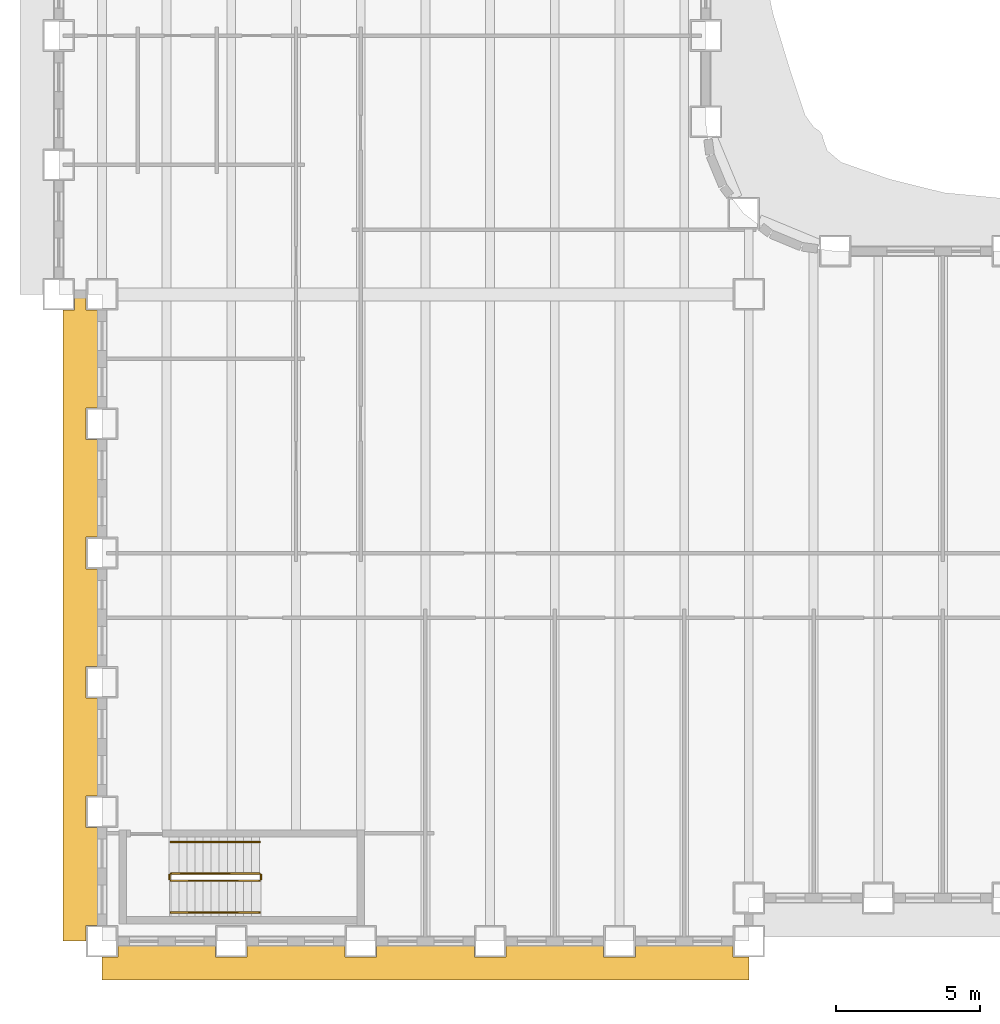
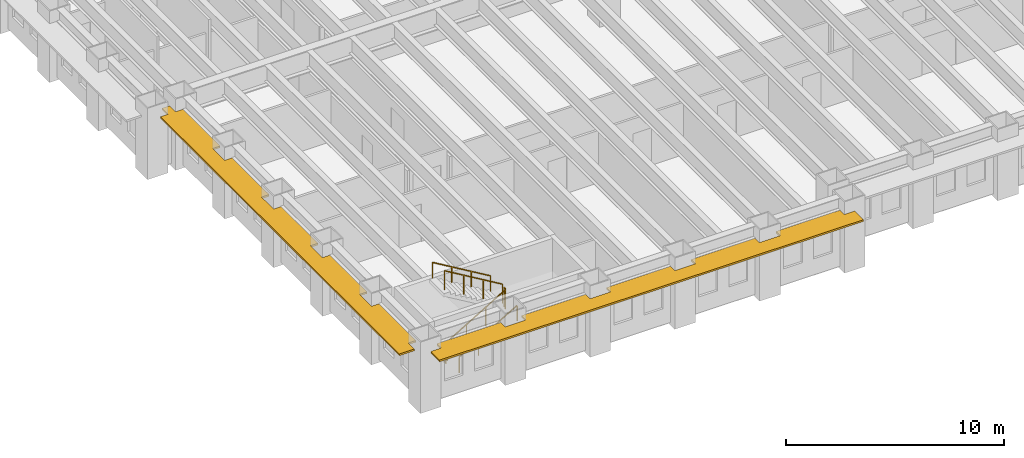
# One storey, part 10 of 15: 6 railings, 2 shading devices.
"""IFC4 building model written with IfcOpenShell, lengths in metres."""

from ifc_helpers import new_model, si_unit, direction, frame, origin, origin_2d, place, context, subcontext, project, spatial, polyline, rectangle, outline, extrude, material, layer, layer_set, type_object, element, save


model = new_model("IFC4")

# Units and contexts
model_context = context("Model", 3, precision=1e-05, world=origin(), true_north=direction((0.0, 1.0)))
body_context = subcontext(model_context, "Body", "Model", "MODEL_VIEW")
ifc_project = project(units=[si_unit("LENGTHUNIT", "METRE"), si_unit("AREAUNIT", "SQUARE_METRE"), si_unit("VOLUMEUNIT", "CUBIC_METRE"), si_unit("PLANEANGLEUNIT", "RADIAN"), si_unit("MASSUNIT", "GRAM", prefix="KILO")], contexts=[model_context])

# Site, building, storey
site_placement = place(None, origin())
site = spatial("IfcSite", under=ifc_project, at=site_placement, CompositionType="ELEMENT")
building_placement = place(site_placement, origin())
building = spatial("IfcBuilding", under=site, at=building_placement, Name="Sennacour Bend Tower", CompositionType="ELEMENT")
storey_placement = place(building_placement, frame((0.0, 0.0, 41.0)))
storey = spatial("IfcBuildingStorey", under=building, at=storey_placement, Name="L08", CompositionType="ELEMENT", Elevation=41.0)

# Railings
ifc_material_1 = material(Name="Stainless steel", Category="steel")
railing_type_1 = type_object("IfcRailingType", Name="RL-GUARD-1100", PredefinedType="GUARDRAIL", material=ifc_material_1)
railing_1_placement = place(storey_placement, frame((2.39990234375, 2.10009765625, 0.166748046875)))
element("IfcRailing", 1, at=railing_1_placement, inside=storey, type_object=railing_type_1, Name="L08 SK1 stair guard 1", PredefinedType="GUARDRAIL", context=body_context, shape_type="SweptSolid", body=[
    extrude(rectangle(XDim=0.048095703125, YDim=0.048095703125, at=origin_2d()), frame((0.0, 0.0, 1.076171875), z_axis=(0.859308565015, 0.0, 0.511457515432), x_axis=(0.0, 1.0, 0.0)), (0.0, 0.0, 1.0), 3.58447265625),
    extrude(rectangle(XDim=0.0419921875, YDim=0.0419921875, at=origin_2d()), origin(), (0.0, 0.0, 1.0), 1.052001953125),
    extrude(rectangle(XDim=0.0419921875, YDim=0.0419921875, at=origin_2d()), frame((1.026611328125, 0.0, 0.611083984375)), (0.0, 0.0, 1.0), 1.052001953125),
    extrude(rectangle(XDim=0.0419921875, YDim=0.0419921875, at=origin_2d()), frame((2.053466796875, 0.0, 1.22216796875)), (0.0, 0.0, 1.0), 1.052001953125),
    extrude(rectangle(XDim=0.0419921875, YDim=0.0419921875, at=origin_2d()), frame((3.080078125, 0.0, 1.833251953125)), (0.0, 0.0, 1.0), 1.052001953125),
])
railing_2_placement = place(storey_placement, frame((5.530029296875, 2.14990234375, 2.0)))
element("IfcRailing", 2, at=railing_2_placement, inside=storey, type_object=railing_type_1, Name="L08 SK1 stair guard 2", PredefinedType="GUARDRAIL", context=body_context, shape_type="SweptSolid", body=[
    extrude(rectangle(XDim=0.048095703125, YDim=0.048095703125, at=origin_2d()), frame((0.0, 0.0, 1.076171875), z_axis=(0.0, 1.0, 0.0), x_axis=(-1.0, 0.0, 0.0)), (0.0, 0.0, 1.0), 0.150146484375),
    extrude(rectangle(XDim=0.0419921875, YDim=0.0419921875, at=origin_2d()), origin(), (0.0, 0.0, 1.0), 1.052001953125),
    extrude(rectangle(XDim=0.0419921875, YDim=0.0419921875, at=origin_2d()), frame((0.0, 0.150146484375, 0.0)), (0.0, 0.0, 1.0), 1.052001953125),
])
railing_3_placement = place(storey_placement, frame((5.47998046875, 2.35009765625, 2.166748046875)))
element("IfcRailing", 3, at=railing_3_placement, inside=storey, type_object=railing_type_1, Name="L08 SK1 stair guard 3", PredefinedType="GUARDRAIL", context=body_context, shape_type="SweptSolid", body=[
    extrude(rectangle(XDim=0.048095703125, YDim=0.048095703125, at=origin_2d()), frame((0.0, 0.0, 1.076171875), z_axis=(-0.859308565015, 0.0, 0.511457515432), x_axis=(0.0, -1.0, 0.0)), (0.0, 0.0, 1.0), 3.58447265625),
    extrude(rectangle(XDim=0.0419921875, YDim=0.0419921875, at=origin_2d()), origin(), (0.0, 0.0, 1.0), 1.052001953125),
    extrude(rectangle(XDim=0.0419921875, YDim=0.0419921875, at=origin_2d()), frame((-1.026611328125, 0.0, 0.611083984375)), (0.0, 0.0, 1.0), 1.052001953125),
    extrude(rectangle(XDim=0.0419921875, YDim=0.0419921875, at=origin_2d()), frame((-2.053466796875, 0.0, 1.22216796875)), (0.0, 0.0, 1.0), 1.052001953125),
    extrude(rectangle(XDim=0.0419921875, YDim=0.0419921875, at=origin_2d()), frame((-3.080078125, 0.0, 1.833251953125)), (0.0, 0.0, 1.0), 1.052001953125),
])
railing_4_placement = place(storey_placement, frame((2.35009765625, 2.14990234375, 0.0)))
element("IfcRailing", 4, at=railing_4_placement, inside=storey, type_object=railing_type_1, Name="L08 SK1 stair guard 4", PredefinedType="GUARDRAIL", context=body_context, shape_type="SweptSolid", body=[
    extrude(rectangle(XDim=0.048095703125, YDim=0.048095703125, at=origin_2d()), frame((0.0, 0.0, 1.076171875), z_axis=(0.0, 1.0, 0.0), x_axis=(-1.0, 0.0, 0.0)), (0.0, 0.0, 1.0), 0.150146484375),
    extrude(rectangle(XDim=0.0419921875, YDim=0.0419921875, at=origin_2d()), origin(), (0.0, 0.0, 1.0), 1.052001953125),
    extrude(rectangle(XDim=0.0419921875, YDim=0.0419921875, at=origin_2d()), frame((0.0, 0.150146484375, 0.0)), (0.0, 0.0, 1.0), 1.052001953125),
])
railing_type_2 = type_object("IfcRailingType", Name="RL-HANDRAIL-900", PredefinedType="HANDRAIL", material=ifc_material_1)
railing_5_placement = place(storey_placement, frame((2.39990234375, 1.0, 0.166748046875)))
element("IfcRailing", 5, at=railing_5_placement, inside=storey, type_object=railing_type_2, Name="L08 SK1 stair handrail 1", PredefinedType="HANDRAIL", context=body_context, shape_type="SweptSolid", body=[
    extrude(rectangle(XDim=0.048095703125, YDim=0.048095703125, at=origin_2d()), frame((0.0, 0.0, 0.8759765625), z_axis=(0.859308565015, 0.0, 0.511457515432), x_axis=(0.0, 1.0, 0.0)), (0.0, 0.0, 1.0), 3.58447265625),
    extrude(rectangle(XDim=0.0419921875, YDim=0.0419921875, at=origin_2d()), origin(), (0.0, 0.0, 1.0), 0.851806640625),
    extrude(rectangle(XDim=0.0419921875, YDim=0.0419921875, at=origin_2d()), frame((1.026611328125, 0.0, 0.611083984375)), (0.0, 0.0, 1.0), 0.851806640625),
    extrude(rectangle(XDim=0.0419921875, YDim=0.0419921875, at=origin_2d()), frame((2.053466796875, 0.0, 1.22216796875)), (0.0, 0.0, 1.0), 0.851806640625),
    extrude(rectangle(XDim=0.0419921875, YDim=0.0419921875, at=origin_2d()), frame((3.080078125, 0.0, 1.833251953125)), (0.0, 0.0, 1.0), 0.851806640625),
])
railing_6_placement = place(storey_placement, frame((5.47998046875, 3.449951171875, 2.166748046875)))
element("IfcRailing", 6, at=railing_6_placement, inside=storey, type_object=railing_type_2, Name="L08 SK1 stair handrail 2", PredefinedType="HANDRAIL", context=body_context, shape_type="SweptSolid", body=[
    extrude(rectangle(XDim=0.048095703125, YDim=0.048095703125, at=origin_2d()), frame((0.0, 0.0, 0.8759765625), z_axis=(-0.859308565015, 0.0, 0.511457515432), x_axis=(0.0, -1.0, 0.0)), (0.0, 0.0, 1.0), 3.58447265625),
    extrude(rectangle(XDim=0.0419921875, YDim=0.0419921875, at=origin_2d()), origin(), (0.0, 0.0, 1.0), 0.851806640625),
    extrude(rectangle(XDim=0.0419921875, YDim=0.0419921875, at=origin_2d()), frame((-1.026611328125, 0.0, 0.611083984375)), (0.0, 0.0, 1.0), 0.851806640625),
    extrude(rectangle(XDim=0.0419921875, YDim=0.0419921875, at=origin_2d()), frame((-2.053466796875, 0.0, 1.22216796875)), (0.0, 0.0, 1.0), 0.851806640625),
    extrude(rectangle(XDim=0.0419921875, YDim=0.0419921875, at=origin_2d()), frame((-3.080078125, 0.0, 1.833251953125)), (0.0, 0.0, 1.0), 0.851806640625),
])

# Shading devices
ifc_material_2 = material(Name="Bronze anodised aluminium", Category="aluminium")
ifc_layer = layer(ifc_material_2, 0.10009765625, Name="Bronze anodised aluminium", Category="aluminium")
ifc_layer_set = layer_set([ifc_layer], Name="Bronze anodised aluminium")
shading_device_type = type_object("IfcShadingDeviceType", Name="SUNSHADE BAND STRAIGHT", PredefinedType="USERDEFINED", material=ifc_layer_set)
shading_device_1_placement = place(storey_placement, frame((0.0, 0.0, 3.0439453125)))
element("IfcShadingDevice", 7, at=shading_device_1_placement, inside=storey, type_object=shading_device_type, Name="Sunshade band L08 K outer face", ObjectType="SUNSHADE", PredefinedType="USERDEFINED", context=body_context, shape_type="SweptSolid", body=[
    extrude(outline(polyline([(3.949951171875, -0.14990234375), (3.949951171875, -0.550048828125), (5.050048828125, -0.550048828125), (5.050048828125, -0.14990234375), (8.449951171875, -0.14990234375), (8.449951171875, -0.550048828125), (9.550048828125, -0.550048828125), (9.550048828125, -0.14990234375), (12.949951171875, -0.14990234375), (12.949951171875, -0.550048828125), (14.050048828125, -0.550048828125), (14.050048828125, -0.14990234375), (17.449951171875, -0.14990234375), (17.449951171875, -0.550048828125), (18.550048828125, -0.550048828125), (18.550048828125, -0.14990234375), (21.949951171875, -0.14990234375), (21.949951171875, -0.550048828125), (22.5, -0.550048828125), (22.5, -1.35009765625), (0.0, -1.35009765625), (0.0, -0.550048828125), (0.550048828125, -0.550048828125), (0.550048828125, -0.14990234375), (3.949951171875, -0.14990234375)])), origin(), (0.0, 0.0, 1.0), 0.10009765625),
])
shading_device_2_placement = place(storey_placement, frame((0.0, 0.0, 3.0439453125)))
element("IfcShadingDevice", 8, at=shading_device_2_placement, inside=storey, type_object=shading_device_type, Name="Sunshade band L08 K outer face", ObjectType="SUNSHADE", PredefinedType="USERDEFINED", context=body_context, shape_type="SweptSolid", body=[
    extrude(outline(polyline([(-0.14990234375, 18.550048828125), (-0.550048828125, 18.550048828125), (-0.550048828125, 17.449951171875), (-0.14990234375, 17.449951171875), (-0.14990234375, 14.050048828125), (-0.550048828125, 14.050048828125), (-0.550048828125, 12.949951171875), (-0.14990234375, 12.949951171875), (-0.14990234375, 9.550048828125), (-0.550048828125, 9.550048828125), (-0.550048828125, 8.449951171875), (-0.14990234375, 8.449951171875), (-0.14990234375, 5.050048828125), (-0.550048828125, 5.050048828125), (-0.550048828125, 3.949951171875), (-0.14990234375, 3.949951171875), (-0.14990234375, 0.550048828125), (-0.550048828125, 0.550048828125), (-0.550048828125, 0.0), (-1.35009765625, 0.0), (-1.35009765625, 21.949951171875), (-0.949951171875, 21.949951171875), (-0.949951171875, 22.5), (-0.550048828125, 22.5), (-0.550048828125, 21.949951171875), (-0.14990234375, 21.949951171875), (-0.14990234375, 18.550048828125)])), origin(), (0.0, 0.0, 1.0), 0.10009765625),
])

save(model, "model.ifc")
